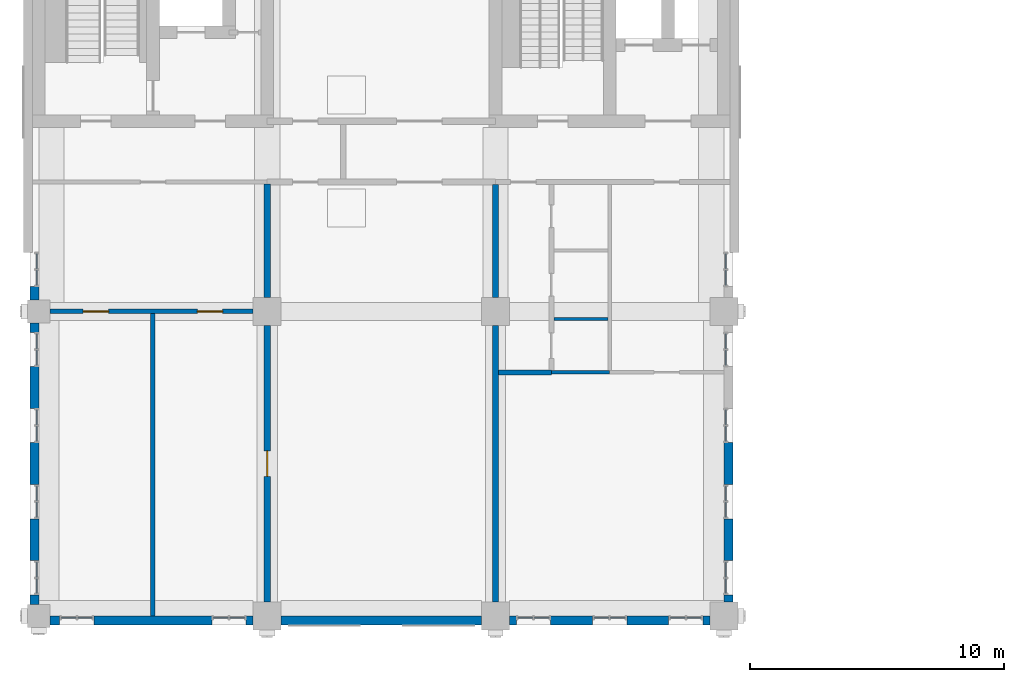
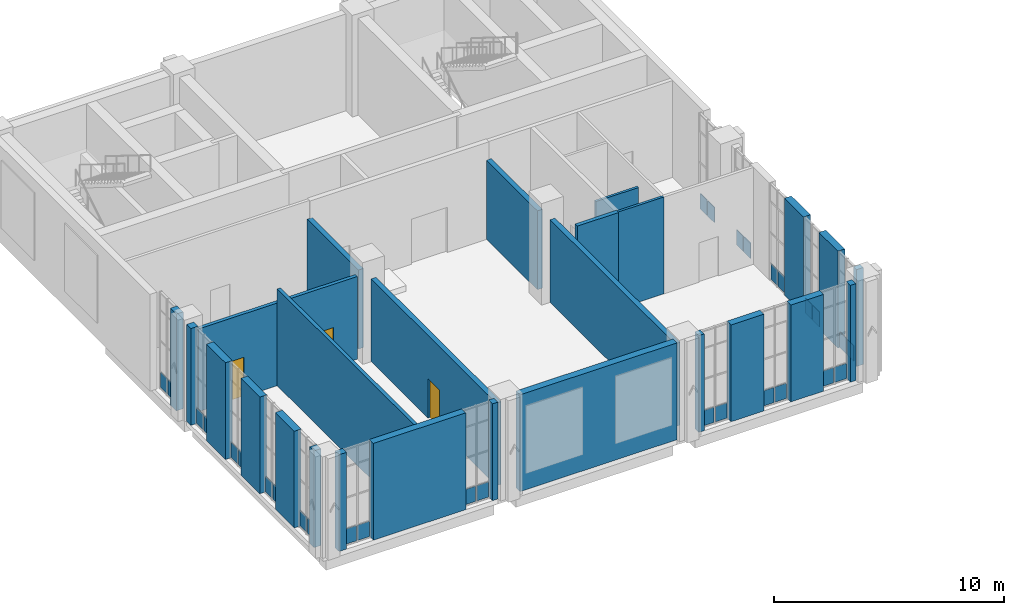
# One storey, part 13 of 25: 30 plates, 26 walls, 3 doors, 3 openings, 15 elements without a shape of their own.
"""IFC4 building model written with IfcOpenShell, lengths in metres."""

from ifc_helpers import new_model, si_unit, direction, frame, frame_2d, origin, origin_2d, place, context, subcontext, project, spatial, rectangle, extrude, material, layer, layer_set, type_object, element, fill, aggregate, save


model = new_model("IFC4")

# Units and contexts
model_context = context("Model", 3, precision=1e-05, world=origin(), true_north=direction((0.0, 1.0)))
body_context = subcontext(model_context, "Body", "Model", "MODEL_VIEW")
ifc_project = project(units=[si_unit("LENGTHUNIT", "METRE"), si_unit("AREAUNIT", "SQUARE_METRE"), si_unit("VOLUMEUNIT", "CUBIC_METRE"), si_unit("PLANEANGLEUNIT", "RADIAN"), si_unit("MASSUNIT", "GRAM", prefix="KILO")], contexts=[model_context])

# Site, building, storey
site_placement = place(None, origin())
site = spatial("IfcSite", under=ifc_project, at=site_placement, CompositionType="ELEMENT")
building_placement = place(site_placement, origin())
building = spatial("IfcBuilding", under=site, at=building_placement, Name="Aurelan Courthouse", CompositionType="ELEMENT")
storey_placement = place(building_placement, frame((0.0, 0.0, 33.60009765625)))
storey = spatial("IfcBuildingStorey", under=building, at=storey_placement, Name="L06", CompositionType="ELEMENT", Elevation=33.60009765625)

# Curtain wall, plates
ifc_material_1 = material(Name="Bronze-finished aluminium and glass", Category="aluminium")
ifc_layer_1 = layer(ifc_material_1, 0.14990234375)
ifc_layer_set_1 = layer_set([ifc_layer_1], Name="Bronze-finished aluminium and glass")
curtain_wall_type = type_object("IfcCurtainWallType", Name="Curtain wall 1350 x 5150", PredefinedType="NOTDEFINED", material=ifc_layer_set_1)
curtain_wall_1_placement = place(storey_placement, origin())
curtain_wall_1 = element("IfcCurtainWall", 1, at=curtain_wall_1_placement, inside=storey, type_object=curtain_wall_type, Name="Curtain wall CW-V5-L06-S01", PredefinedType="NOTDEFINED")
ifc_material_2 = material(Name="Bronze-finished aluminium", Category="aluminium")
ifc_layer_2 = layer(ifc_material_2, 0.0400390625)
ifc_layer_set_2 = layer_set([ifc_layer_2], Name="Bronze-finished aluminium")
plate_type = type_object("IfcPlateType", Name="Sill panel 40", PredefinedType="CURTAIN_PANEL", material=ifc_layer_set_2)
plate_1_placement = place(storey_placement, frame((1.177490234375, -0.074951171875, 0.059814453125), z_axis=(0.0, 0.0, 1.0), x_axis=(1.0, 0.0, 0.0)))
plate_1 = element("IfcPlate", 2, at=plate_1_placement, type_object=plate_type, Name="CW-V5-L06-S01 sill panel 1.1", PredefinedType="CURTAIN_PANEL", context=body_context, shape_type="SweptSolid", body=[
    extrude(rectangle(XDim=0.5849609375, YDim=0.0400390625, at=origin_2d()), origin(), (0.0, 0.0, 1.0), 0.81005859375),
])
plate_2_placement = place(storey_placement, frame((1.822509765625, -0.074951171875, 0.059814453125), z_axis=(0.0, 0.0, 1.0), x_axis=(1.0, 0.0, 0.0)))
plate_2 = element("IfcPlate", 3, at=plate_2_placement, type_object=plate_type, Name="CW-V5-L06-S01 sill panel 2.1", PredefinedType="CURTAIN_PANEL", context=body_context, shape_type="SweptSolid", body=[
    extrude(rectangle(XDim=0.5849609375, YDim=0.0400390625, at=origin_2d()), origin(), (0.0, 0.0, 1.0), 0.81005859375),
])
aggregate(curtain_wall_1, [plate_1, plate_2])

curtain_wall_2_placement = place(storey_placement, origin())
curtain_wall_2 = element("IfcCurtainWall", 4, at=curtain_wall_2_placement, inside=storey, type_object=curtain_wall_type, Name="Curtain wall CW-V5-L06-S02", PredefinedType="NOTDEFINED")
plate_3_placement = place(storey_placement, frame((7.177490234375, -0.074951171875, 0.059814453125), z_axis=(0.0, 0.0, 1.0), x_axis=(1.0, 0.0, 0.0)))
plate_3 = element("IfcPlate", 5, at=plate_3_placement, type_object=plate_type, Name="CW-V5-L06-S02 sill panel 1.1", PredefinedType="CURTAIN_PANEL", context=body_context, shape_type="SweptSolid", body=[
    extrude(rectangle(XDim=0.5849609375, YDim=0.0400390625, at=origin_2d()), origin(), (0.0, 0.0, 1.0), 0.81005859375),
])
plate_4_placement = place(storey_placement, frame((7.822509765625, -0.074951171875, 0.059814453125), z_axis=(0.0, 0.0, 1.0), x_axis=(1.0, 0.0, 0.0)))
plate_4 = element("IfcPlate", 6, at=plate_4_placement, type_object=plate_type, Name="CW-V5-L06-S02 sill panel 2.1", PredefinedType="CURTAIN_PANEL", context=body_context, shape_type="SweptSolid", body=[
    extrude(rectangle(XDim=0.5849609375, YDim=0.0400390625, at=origin_2d()), origin(), (0.0, 0.0, 1.0), 0.81005859375),
])
aggregate(curtain_wall_2, [plate_3, plate_4])

curtain_wall_3_placement = place(storey_placement, origin())
curtain_wall_3 = element("IfcCurtainWall", 7, at=curtain_wall_3_placement, inside=storey, type_object=curtain_wall_type, Name="Curtain wall CW-V5-L06-S03", PredefinedType="NOTDEFINED")
plate_5_placement = place(storey_placement, frame((19.177490234375, -0.074951171875, 0.059814453125), z_axis=(0.0, 0.0, 1.0), x_axis=(1.0, 0.0, 0.0)))
plate_5 = element("IfcPlate", 8, at=plate_5_placement, type_object=plate_type, Name="CW-V5-L06-S03 sill panel 1.1", PredefinedType="CURTAIN_PANEL", context=body_context, shape_type="SweptSolid", body=[
    extrude(rectangle(XDim=0.5849609375, YDim=0.0400390625, at=origin_2d()), origin(), (0.0, 0.0, 1.0), 0.81005859375),
])
plate_6_placement = place(storey_placement, frame((19.822509765625, -0.074951171875, 0.059814453125), z_axis=(0.0, 0.0, 1.0), x_axis=(1.0, 0.0, 0.0)))
plate_6 = element("IfcPlate", 9, at=plate_6_placement, type_object=plate_type, Name="CW-V5-L06-S03 sill panel 2.1", PredefinedType="CURTAIN_PANEL", context=body_context, shape_type="SweptSolid", body=[
    extrude(rectangle(XDim=0.5849609375, YDim=0.0400390625, at=origin_2d()), origin(), (0.0, 0.0, 1.0), 0.81005859375),
])
aggregate(curtain_wall_3, [plate_5, plate_6])

curtain_wall_4_placement = place(storey_placement, origin())
curtain_wall_4 = element("IfcCurtainWall", 10, at=curtain_wall_4_placement, inside=storey, type_object=curtain_wall_type, Name="Curtain wall CW-V5-L06-S04", PredefinedType="NOTDEFINED")
plate_7_placement = place(storey_placement, frame((22.177490234375, -0.074951171875, 0.059814453125), z_axis=(0.0, 0.0, 1.0), x_axis=(1.0, 0.0, 0.0)))
plate_7 = element("IfcPlate", 11, at=plate_7_placement, type_object=plate_type, Name="CW-V5-L06-S04 sill panel 1.1", PredefinedType="CURTAIN_PANEL", context=body_context, shape_type="SweptSolid", body=[
    extrude(rectangle(XDim=0.5849609375, YDim=0.0400390625, at=origin_2d()), origin(), (0.0, 0.0, 1.0), 0.81005859375),
])
plate_8_placement = place(storey_placement, frame((22.822509765625, -0.074951171875, 0.059814453125), z_axis=(0.0, 0.0, 1.0), x_axis=(1.0, 0.0, 0.0)))
plate_8 = element("IfcPlate", 12, at=plate_8_placement, type_object=plate_type, Name="CW-V5-L06-S04 sill panel 2.1", PredefinedType="CURTAIN_PANEL", context=body_context, shape_type="SweptSolid", body=[
    extrude(rectangle(XDim=0.5849609375, YDim=0.0400390625, at=origin_2d()), origin(), (0.0, 0.0, 1.0), 0.81005859375),
])
aggregate(curtain_wall_4, [plate_7, plate_8])

curtain_wall_5_placement = place(storey_placement, origin())
curtain_wall_5 = element("IfcCurtainWall", 13, at=curtain_wall_5_placement, inside=storey, type_object=curtain_wall_type, Name="Curtain wall CW-V5-L06-S05", PredefinedType="NOTDEFINED")
plate_9_placement = place(storey_placement, frame((25.177490234375, -0.074951171875, 0.059814453125), z_axis=(0.0, 0.0, 1.0), x_axis=(1.0, 0.0, 0.0)))
plate_9 = element("IfcPlate", 14, at=plate_9_placement, type_object=plate_type, Name="CW-V5-L06-S05 sill panel 1.1", PredefinedType="CURTAIN_PANEL", context=body_context, shape_type="SweptSolid", body=[
    extrude(rectangle(XDim=0.5849609375, YDim=0.0400390625, at=origin_2d()), origin(), (0.0, 0.0, 1.0), 0.81005859375),
])
plate_10_placement = place(storey_placement, frame((25.822509765625, -0.074951171875, 0.059814453125), z_axis=(0.0, 0.0, 1.0), x_axis=(1.0, 0.0, 0.0)))
plate_10 = element("IfcPlate", 15, at=plate_10_placement, type_object=plate_type, Name="CW-V5-L06-S05 sill panel 2.1", PredefinedType="CURTAIN_PANEL", context=body_context, shape_type="SweptSolid", body=[
    extrude(rectangle(XDim=0.5849609375, YDim=0.0400390625, at=origin_2d()), origin(), (0.0, 0.0, 1.0), 0.81005859375),
])
aggregate(curtain_wall_5, [plate_9, plate_10])

curtain_wall_6_placement = place(storey_placement, origin())
curtain_wall_6 = element("IfcCurtainWall", 16, at=curtain_wall_6_placement, inside=storey, type_object=curtain_wall_type, Name="Curtain wall CW-V5-L06-E01", PredefinedType="NOTDEFINED")
plate_11_placement = place(storey_placement, frame((27.074951171875, 1.177490234375, 0.059814453125), z_axis=(0.0, 0.0, 1.0), x_axis=(0.0, 1.0, 0.0)))
plate_11 = element("IfcPlate", 17, at=plate_11_placement, type_object=plate_type, Name="CW-V5-L06-E01 sill panel 1.1", PredefinedType="CURTAIN_PANEL", context=body_context, shape_type="SweptSolid", body=[
    extrude(rectangle(XDim=0.5849609375, YDim=0.0400390625, at=origin_2d()), origin(), (0.0, 0.0, 1.0), 0.81005859375),
])
plate_12_placement = place(storey_placement, frame((27.074951171875, 1.822509765625, 0.059814453125), z_axis=(0.0, 0.0, 1.0), x_axis=(0.0, 1.0, 0.0)))
plate_12 = element("IfcPlate", 18, at=plate_12_placement, type_object=plate_type, Name="CW-V5-L06-E01 sill panel 2.1", PredefinedType="CURTAIN_PANEL", context=body_context, shape_type="SweptSolid", body=[
    extrude(rectangle(XDim=0.5849609375, YDim=0.0400390625, at=origin_2d()), origin(), (0.0, 0.0, 1.0), 0.81005859375),
])
aggregate(curtain_wall_6, [plate_11, plate_12])

curtain_wall_7_placement = place(storey_placement, origin())
curtain_wall_7 = element("IfcCurtainWall", 19, at=curtain_wall_7_placement, inside=storey, type_object=curtain_wall_type, Name="Curtain wall CW-V5-L06-E02", PredefinedType="NOTDEFINED")
plate_13_placement = place(storey_placement, frame((27.074951171875, 4.177490234375, 0.059814453125), z_axis=(0.0, 0.0, 1.0), x_axis=(0.0, 1.0, 0.0)))
plate_13 = element("IfcPlate", 20, at=plate_13_placement, type_object=plate_type, Name="CW-V5-L06-E02 sill panel 1.1", PredefinedType="CURTAIN_PANEL", context=body_context, shape_type="SweptSolid", body=[
    extrude(rectangle(XDim=0.5849609375, YDim=0.0400390625, at=origin_2d()), origin(), (0.0, 0.0, 1.0), 0.81005859375),
])
plate_14_placement = place(storey_placement, frame((27.074951171875, 4.822509765625, 0.059814453125), z_axis=(0.0, 0.0, 1.0), x_axis=(0.0, 1.0, 0.0)))
plate_14 = element("IfcPlate", 21, at=plate_14_placement, type_object=plate_type, Name="CW-V5-L06-E02 sill panel 2.1", PredefinedType="CURTAIN_PANEL", context=body_context, shape_type="SweptSolid", body=[
    extrude(rectangle(XDim=0.5849609375, YDim=0.0400390625, at=origin_2d()), origin(), (0.0, 0.0, 1.0), 0.81005859375),
])
aggregate(curtain_wall_7, [plate_13, plate_14])

curtain_wall_8_placement = place(storey_placement, origin())
curtain_wall_8 = element("IfcCurtainWall", 22, at=curtain_wall_8_placement, inside=storey, type_object=curtain_wall_type, Name="Curtain wall CW-V5-L06-E03", PredefinedType="NOTDEFINED")
plate_15_placement = place(storey_placement, frame((27.074951171875, 7.177490234375, 0.059814453125), z_axis=(0.0, 0.0, 1.0), x_axis=(0.0, 1.0, 0.0)))
plate_15 = element("IfcPlate", 23, at=plate_15_placement, type_object=plate_type, Name="CW-V5-L06-E03 sill panel 1.1", PredefinedType="CURTAIN_PANEL", context=body_context, shape_type="SweptSolid", body=[
    extrude(rectangle(XDim=0.5849609375, YDim=0.0400390625, at=origin_2d()), origin(), (0.0, 0.0, 1.0), 0.81005859375),
])
plate_16_placement = place(storey_placement, frame((27.074951171875, 7.822509765625, 0.059814453125), z_axis=(0.0, 0.0, 1.0), x_axis=(0.0, 1.0, 0.0)))
plate_16 = element("IfcPlate", 24, at=plate_16_placement, type_object=plate_type, Name="CW-V5-L06-E03 sill panel 2.1", PredefinedType="CURTAIN_PANEL", context=body_context, shape_type="SweptSolid", body=[
    extrude(rectangle(XDim=0.5849609375, YDim=0.0400390625, at=origin_2d()), origin(), (0.0, 0.0, 1.0), 0.81005859375),
])
aggregate(curtain_wall_8, [plate_15, plate_16])

curtain_wall_9_placement = place(storey_placement, origin())
curtain_wall_9 = element("IfcCurtainWall", 25, at=curtain_wall_9_placement, inside=storey, type_object=curtain_wall_type, Name="Curtain wall CW-V5-L06-E04", PredefinedType="NOTDEFINED")
plate_17_placement = place(storey_placement, frame((27.074951171875, 10.177490234375, 0.059814453125), z_axis=(0.0, 0.0, 1.0), x_axis=(0.0, 1.0, 0.0)))
plate_17 = element("IfcPlate", 26, at=plate_17_placement, type_object=plate_type, Name="CW-V5-L06-E04 sill panel 1.1", PredefinedType="CURTAIN_PANEL", context=body_context, shape_type="SweptSolid", body=[
    extrude(rectangle(XDim=0.5849609375, YDim=0.0400390625, at=origin_2d()), origin(), (0.0, 0.0, 1.0), 0.81005859375),
])
plate_18_placement = place(storey_placement, frame((27.074951171875, 10.822509765625, 0.059814453125), z_axis=(0.0, 0.0, 1.0), x_axis=(0.0, 1.0, 0.0)))
plate_18 = element("IfcPlate", 27, at=plate_18_placement, type_object=plate_type, Name="CW-V5-L06-E04 sill panel 2.1", PredefinedType="CURTAIN_PANEL", context=body_context, shape_type="SweptSolid", body=[
    extrude(rectangle(XDim=0.5849609375, YDim=0.0400390625, at=origin_2d()), origin(), (0.0, 0.0, 1.0), 0.81005859375),
])
aggregate(curtain_wall_9, [plate_17, plate_18])

curtain_wall_10_placement = place(storey_placement, origin())
curtain_wall_10 = element("IfcCurtainWall", 28, at=curtain_wall_10_placement, inside=storey, type_object=curtain_wall_type, Name="Curtain wall CW-V5-L06-E05", PredefinedType="NOTDEFINED")
plate_19_placement = place(storey_placement, frame((27.074951171875, 13.327392578125, 0.059814453125), z_axis=(0.0, 0.0, 1.0), x_axis=(0.0, 1.0, 0.0)))
plate_19 = element("IfcPlate", 29, at=plate_19_placement, type_object=plate_type, Name="CW-V5-L06-E05 sill panel 1.1", PredefinedType="CURTAIN_PANEL", context=body_context, shape_type="SweptSolid", body=[
    extrude(rectangle(XDim=0.5849609375, YDim=0.0400390625, at=origin_2d()), origin(), (0.0, 0.0, 1.0), 0.81005859375),
])
plate_20_placement = place(storey_placement, frame((27.074951171875, 13.972412109375, 0.059814453125), z_axis=(0.0, 0.0, 1.0), x_axis=(0.0, 1.0, 0.0)))
plate_20 = element("IfcPlate", 30, at=plate_20_placement, type_object=plate_type, Name="CW-V5-L06-E05 sill panel 2.1", PredefinedType="CURTAIN_PANEL", context=body_context, shape_type="SweptSolid", body=[
    extrude(rectangle(XDim=0.5849609375, YDim=0.0400390625, at=origin_2d()), origin(), (0.0, 0.0, 1.0), 0.81005859375),
])
aggregate(curtain_wall_10, [plate_19, plate_20])

curtain_wall_11_placement = place(storey_placement, origin())
curtain_wall_11 = element("IfcCurtainWall", 31, at=curtain_wall_11_placement, inside=storey, type_object=curtain_wall_type, Name="Curtain wall CW-V5-L06-W01", PredefinedType="NOTDEFINED")
plate_21_placement = place(storey_placement, frame((-0.074951171875, 1.177490234375, 0.059814453125), z_axis=(0.0, 0.0, 1.0), x_axis=(0.0, 1.0, 0.0)))
plate_21 = element("IfcPlate", 32, at=plate_21_placement, type_object=plate_type, Name="CW-V5-L06-W01 sill panel 1.1", PredefinedType="CURTAIN_PANEL", context=body_context, shape_type="SweptSolid", body=[
    extrude(rectangle(XDim=0.5849609375, YDim=0.0400390625, at=origin_2d()), origin(), (0.0, 0.0, 1.0), 0.81005859375),
])
plate_22_placement = place(storey_placement, frame((-0.074951171875, 1.822509765625, 0.059814453125), z_axis=(0.0, 0.0, 1.0), x_axis=(0.0, 1.0, 0.0)))
plate_22 = element("IfcPlate", 33, at=plate_22_placement, type_object=plate_type, Name="CW-V5-L06-W01 sill panel 2.1", PredefinedType="CURTAIN_PANEL", context=body_context, shape_type="SweptSolid", body=[
    extrude(rectangle(XDim=0.5849609375, YDim=0.0400390625, at=origin_2d()), origin(), (0.0, 0.0, 1.0), 0.81005859375),
])
aggregate(curtain_wall_11, [plate_21, plate_22])

curtain_wall_12_placement = place(storey_placement, origin())
curtain_wall_12 = element("IfcCurtainWall", 34, at=curtain_wall_12_placement, inside=storey, type_object=curtain_wall_type, Name="Curtain wall CW-V5-L06-W02", PredefinedType="NOTDEFINED")
plate_23_placement = place(storey_placement, frame((-0.074951171875, 4.177490234375, 0.059814453125), z_axis=(0.0, 0.0, 1.0), x_axis=(0.0, 1.0, 0.0)))
plate_23 = element("IfcPlate", 35, at=plate_23_placement, type_object=plate_type, Name="CW-V5-L06-W02 sill panel 1.1", PredefinedType="CURTAIN_PANEL", context=body_context, shape_type="SweptSolid", body=[
    extrude(rectangle(XDim=0.5849609375, YDim=0.0400390625, at=origin_2d()), origin(), (0.0, 0.0, 1.0), 0.81005859375),
])
plate_24_placement = place(storey_placement, frame((-0.074951171875, 4.822509765625, 0.059814453125), z_axis=(0.0, 0.0, 1.0), x_axis=(0.0, 1.0, 0.0)))
plate_24 = element("IfcPlate", 36, at=plate_24_placement, type_object=plate_type, Name="CW-V5-L06-W02 sill panel 2.1", PredefinedType="CURTAIN_PANEL", context=body_context, shape_type="SweptSolid", body=[
    extrude(rectangle(XDim=0.5849609375, YDim=0.0400390625, at=origin_2d()), origin(), (0.0, 0.0, 1.0), 0.81005859375),
])
aggregate(curtain_wall_12, [plate_23, plate_24])

curtain_wall_13_placement = place(storey_placement, origin())
curtain_wall_13 = element("IfcCurtainWall", 37, at=curtain_wall_13_placement, inside=storey, type_object=curtain_wall_type, Name="Curtain wall CW-V5-L06-W03", PredefinedType="NOTDEFINED")
plate_25_placement = place(storey_placement, frame((-0.074951171875, 7.177490234375, 0.059814453125), z_axis=(0.0, 0.0, 1.0), x_axis=(0.0, 1.0, 0.0)))
plate_25 = element("IfcPlate", 38, at=plate_25_placement, type_object=plate_type, Name="CW-V5-L06-W03 sill panel 1.1", PredefinedType="CURTAIN_PANEL", context=body_context, shape_type="SweptSolid", body=[
    extrude(rectangle(XDim=0.5849609375, YDim=0.0400390625, at=origin_2d()), origin(), (0.0, 0.0, 1.0), 0.81005859375),
])
plate_26_placement = place(storey_placement, frame((-0.074951171875, 7.822509765625, 0.059814453125), z_axis=(0.0, 0.0, 1.0), x_axis=(0.0, 1.0, 0.0)))
plate_26 = element("IfcPlate", 39, at=plate_26_placement, type_object=plate_type, Name="CW-V5-L06-W03 sill panel 2.1", PredefinedType="CURTAIN_PANEL", context=body_context, shape_type="SweptSolid", body=[
    extrude(rectangle(XDim=0.5849609375, YDim=0.0400390625, at=origin_2d()), origin(), (0.0, 0.0, 1.0), 0.81005859375),
])
aggregate(curtain_wall_13, [plate_25, plate_26])

curtain_wall_14_placement = place(storey_placement, origin())
curtain_wall_14 = element("IfcCurtainWall", 40, at=curtain_wall_14_placement, inside=storey, type_object=curtain_wall_type, Name="Curtain wall CW-V5-L06-W04", PredefinedType="NOTDEFINED")
plate_27_placement = place(storey_placement, frame((-0.074951171875, 10.177490234375, 0.059814453125), z_axis=(0.0, 0.0, 1.0), x_axis=(0.0, 1.0, 0.0)))
plate_27 = element("IfcPlate", 41, at=plate_27_placement, type_object=plate_type, Name="CW-V5-L06-W04 sill panel 1.1", PredefinedType="CURTAIN_PANEL", context=body_context, shape_type="SweptSolid", body=[
    extrude(rectangle(XDim=0.5849609375, YDim=0.0400390625, at=origin_2d()), origin(), (0.0, 0.0, 1.0), 0.81005859375),
])
plate_28_placement = place(storey_placement, frame((-0.074951171875, 10.822509765625, 0.059814453125), z_axis=(0.0, 0.0, 1.0), x_axis=(0.0, 1.0, 0.0)))
plate_28 = element("IfcPlate", 42, at=plate_28_placement, type_object=plate_type, Name="CW-V5-L06-W04 sill panel 2.1", PredefinedType="CURTAIN_PANEL", context=body_context, shape_type="SweptSolid", body=[
    extrude(rectangle(XDim=0.5849609375, YDim=0.0400390625, at=origin_2d()), origin(), (0.0, 0.0, 1.0), 0.81005859375),
])
aggregate(curtain_wall_14, [plate_27, plate_28])

curtain_wall_15_placement = place(storey_placement, origin())
curtain_wall_15 = element("IfcCurtainWall", 43, at=curtain_wall_15_placement, inside=storey, type_object=curtain_wall_type, Name="Curtain wall CW-V5-L06-W05", PredefinedType="NOTDEFINED")
plate_29_placement = place(storey_placement, frame((-0.074951171875, 13.327392578125, 0.059814453125), z_axis=(0.0, 0.0, 1.0), x_axis=(0.0, 1.0, 0.0)))
plate_29 = element("IfcPlate", 44, at=plate_29_placement, type_object=plate_type, Name="CW-V5-L06-W05 sill panel 1.1", PredefinedType="CURTAIN_PANEL", context=body_context, shape_type="SweptSolid", body=[
    extrude(rectangle(XDim=0.5849609375, YDim=0.0400390625, at=origin_2d()), origin(), (0.0, 0.0, 1.0), 0.81005859375),
])
plate_30_placement = place(storey_placement, frame((-0.074951171875, 13.972412109375, 0.059814453125), z_axis=(0.0, 0.0, 1.0), x_axis=(0.0, 1.0, 0.0)))
plate_30 = element("IfcPlate", 45, at=plate_30_placement, type_object=plate_type, Name="CW-V5-L06-W05 sill panel 2.1", PredefinedType="CURTAIN_PANEL", context=body_context, shape_type="SweptSolid", body=[
    extrude(rectangle(XDim=0.5849609375, YDim=0.0400390625, at=origin_2d()), origin(), (0.0, 0.0, 1.0), 0.81005859375),
])
aggregate(curtain_wall_15, [plate_29, plate_30])

# Wall, openings, doors
ifc_material_3 = material(Name="Gypsum board on metal studs")
ifc_layer_3 = layer(ifc_material_3, 0.175048828125)
ifc_layer_set_3 = layer_set([ifc_layer_3], Name="Gypsum board on metal studs")
wall_type_1 = type_object("IfcWallType", Name="Chambers acoustic partition 175 NOT RATED", PredefinedType="PARTITIONING", material=ifc_layer_set_3)
wall_1_placement = place(storey_placement, frame((0.449951171875, 12.0, 0.0), z_axis=(0.0, 0.0, 1.0), x_axis=(1.0, 0.0, 0.0)))
wall_1 = element("IfcWall", 46, at=wall_1_placement, inside=storey, type_object=wall_type_1, Name="Chambers acoustic partition L06-005", PredefinedType="PARTITIONING", context=body_context, shape_type="SweptSolid", body=[
    extrude(rectangle(XDim=8.0, YDim=0.175048828125, at=frame_2d((4.0, 0.0))), origin(), (0.0, 0.0, 1.0), 4.39990234375),
])
opening_1_placement = place(wall_1_placement, frame((1.300048828125, 0.0, 0.0)))
opening_1 = element("IfcOpeningElement", 47, at=opening_1_placement, cuts=wall_1, Name="Opening D-L06-049", PredefinedType="OPENING", context=body_context, shape_type="SweptSolid", body=[
    extrude(rectangle(XDim=1.0, YDim=2.10009765625, at=frame_2d((0.5, 1.050048828125))), frame((0.0, 0.097412109375, 0.0), z_axis=(0.0, -1.0, 0.0), x_axis=(1.0, 0.0, 0.0)), (0.0, 0.0, 1.0), 0.195068359375),
])
opening_2_placement = place(wall_1_placement, frame((5.800048828125, 0.0, 0.0)))
opening_2 = element("IfcOpeningElement", 48, at=opening_2_placement, cuts=wall_1, Name="Opening D-L06-050", PredefinedType="OPENING", context=body_context, shape_type="SweptSolid", body=[
    extrude(rectangle(XDim=1.0, YDim=2.10009765625, at=frame_2d((0.5, 1.050048828125))), frame((0.0, 0.097412109375, 0.0), z_axis=(0.0, -1.0, 0.0), x_axis=(1.0, 0.0, 0.0)), (0.0, 0.0, 1.0), 0.195068359375),
])
ifc_material_4 = material(Name="Timber", Category="wood")
door_type_1 = type_object("IfcDoorType", Name="Single door 1000 x 2100 NOT RATED", OperationType="SINGLE_SWING_LEFT", PredefinedType="DOOR", material=ifc_material_4)
door_1_placement = place(opening_1_placement, origin())
door_1 = element("IfcDoor", 49, at=door_1_placement, inside=storey, type_object=door_type_1, Name="Single door D-L06-049", OperationType="SINGLE_SWING_LEFT", OverallHeight=2.10009765625, OverallWidth=1.0, PredefinedType="DOOR", context=body_context, shape_type="SweptSolid", body=[
    extrude(rectangle(XDim=1.0, YDim=2.10009765625, at=frame_2d((0.5, 1.050048828125))), frame((0.0, 0.02490234375, 0.0), z_axis=(0.0, -1.0, 0.0), x_axis=(1.0, 0.0, 0.0)), (0.0, 0.0, 1.0), 0.050048828125),
])
fill(opening_1, door_1)
door_2_placement = place(opening_2_placement, origin())
door_2 = element("IfcDoor", 50, at=door_2_placement, inside=storey, type_object=door_type_1, Name="Single door D-L06-050", OperationType="SINGLE_SWING_RIGHT", OverallHeight=2.10009765625, OverallWidth=1.0, PredefinedType="DOOR", context=body_context, shape_type="SweptSolid", body=[
    extrude(rectangle(XDim=1.0, YDim=2.10009765625, at=frame_2d((0.5, 1.050048828125))), frame((0.0, 0.02490234375, 0.0), z_axis=(0.0, -1.0, 0.0), x_axis=(1.0, 0.0, 0.0)), (0.0, 0.0, 1.0), 0.050048828125),
])
fill(opening_2, door_2)

# Wall
wall_2_placement = place(storey_placement, frame((4.5, 0.0, 0.0), z_axis=(0.0, 0.0, 1.0), x_axis=(0.0, 1.0, 0.0)))
element("IfcWall", 51, at=wall_2_placement, inside=storey, type_object=wall_type_1, Name="Chambers acoustic partition L06-031", PredefinedType="PARTITIONING", context=body_context, shape_type="SweptSolid", body=[
    extrude(rectangle(XDim=11.91259765625, YDim=0.175048828125, at=frame_2d((5.956298828125, 0.0))), origin(), (0.0, 0.0, 1.0), 5.14990234375),
])

# Wall, opening, door
ifc_material_5 = material(Name="Masonry block", Category="masonry")
ifc_layer_4 = layer(ifc_material_5, 0.25)
ifc_layer_set_4 = layer_set([ifc_layer_4], Name="Masonry block")
wall_type_2 = type_object("IfcWallType", Name="Courtroom wall 250 EI 60", PredefinedType="PARTITIONING", material=ifc_layer_set_4)
wall_3_placement = place(storey_placement, frame((9.0, 0.550048828125, 0.0), z_axis=(0.0, 0.0, 1.0), x_axis=(0.0, 1.0, 0.0)))
wall_3 = element("IfcWall", 52, at=wall_3_placement, inside=storey, type_object=wall_type_2, Name="Courtroom wall L06-032", PredefinedType="PARTITIONING", context=body_context, shape_type="SweptSolid", body=[
    extrude(rectangle(XDim=10.89990234375, YDim=0.25, at=frame_2d((5.449951171875, 0.0))), origin(), (0.0, 0.0, 1.0), 4.39990234375),
])
opening_3_placement = place(wall_3_placement, frame((5.949951171875, 0.0, 0.0), z_axis=(0.0, 0.0, 1.0), x_axis=(-1.0, 0.0, 0.0)))
opening_3 = element("IfcOpeningElement", 53, at=opening_3_placement, cuts=wall_3, Name="Opening D-L06-051", PredefinedType="OPENING", context=body_context, shape_type="SweptSolid", body=[
    extrude(rectangle(XDim=1.0, YDim=2.10009765625, at=frame_2d((0.5, 1.050048828125))), frame((0.0, 0.135009765625, 0.0), z_axis=(0.0, -1.0, 0.0), x_axis=(1.0, 0.0, 0.0)), (0.0, 0.0, 1.0), 0.27001953125),
])
ifc_material_6 = material(Name="Steel", Category="steel")
door_type_2 = type_object("IfcDoorType", Name="Single door 1000 x 2100 FD30", OperationType="SINGLE_SWING_LEFT", PredefinedType="DOOR", material=ifc_material_6)
door_3_placement = place(opening_3_placement, origin())
door_3 = element("IfcDoor", 54, at=door_3_placement, inside=storey, type_object=door_type_2, Name="Single door D-L06-051", OperationType="SINGLE_SWING_RIGHT", OverallHeight=2.10009765625, OverallWidth=1.0, PredefinedType="DOOR", context=body_context, shape_type="SweptSolid", body=[
    extrude(rectangle(XDim=1.0, YDim=2.10009765625, at=frame_2d((0.5, 1.050048828125))), frame((0.0, 0.02490234375, 0.0), z_axis=(0.0, -1.0, 0.0), x_axis=(1.0, 0.0, 0.0)), (0.0, 0.0, 1.0), 0.050048828125),
])
fill(opening_3, door_3)

# Walls
wall_4_placement = place(storey_placement, frame((9.0, 12.550048828125, 0.0), z_axis=(0.0, 0.0, 1.0), x_axis=(0.0, 1.0, 0.0)))
element("IfcWall", 55, at=wall_4_placement, inside=storey, type_object=wall_type_2, Name="Courtroom wall L06-033", PredefinedType="PARTITIONING", context=body_context, shape_type="SweptSolid", body=[
    extrude(rectangle(XDim=4.474853515625, YDim=0.25, at=frame_2d((2.2373046875, 0.0))), origin(), (0.0, 0.0, 1.0), 4.199951171875),
])
wall_5_placement = place(storey_placement, frame((18.0, 0.550048828125, 0.0), z_axis=(0.0, 0.0, 1.0), x_axis=(0.0, 1.0, 0.0)))
element("IfcWall", 56, at=wall_5_placement, inside=storey, type_object=wall_type_2, Name="Courtroom wall L06-035", PredefinedType="PARTITIONING", context=body_context, shape_type="SweptSolid", body=[
    extrude(rectangle(XDim=10.89990234375, YDim=0.25, at=frame_2d((5.449951171875, 0.0))), origin(), (0.0, 0.0, 1.0), 4.39990234375),
])
wall_6_placement = place(storey_placement, frame((18.0, 12.550048828125, 0.0), z_axis=(0.0, 0.0, 1.0), x_axis=(0.0, 1.0, 0.0)))
element("IfcWall", 57, at=wall_6_placement, inside=storey, type_object=wall_type_2, Name="Courtroom wall L06-036", PredefinedType="PARTITIONING", context=body_context, shape_type="SweptSolid", body=[
    extrude(rectangle(XDim=4.449951171875, YDim=0.25, at=frame_2d((2.22509765625, 0.0))), origin(), (0.0, 0.0, 1.0), 4.199951171875),
])
ifc_material_7 = material(Name="Limestone cladding", Category="masonry")
ifc_layer_5 = layer(ifc_material_7, 0.10009765625, Name="Facing")
ifc_material_8 = material(Name="Ventilated cavity")
ifc_layer_6 = layer(ifc_material_8, 0.02490234375, ventilated=True, Name="Ventilated cavity")
ifc_material_9 = material(Name="Mineral wool insulation")
ifc_layer_7 = layer(ifc_material_9, 0.050048828125, Name="Insulation")
ifc_material_10 = material(Name="Concrete C30", Category="concrete")
ifc_layer_8 = layer(ifc_material_10, 0.175048828125, Name="Structure")
ifc_layer_set_5 = layer_set([ifc_layer_5, ifc_layer_6, ifc_layer_7, ifc_layer_8], Name="Concrete C30")
wall_type_3 = type_object("IfcWallType", Name="Courts' Floors stone-faced wall 350", PredefinedType="SOLIDWALL", material=ifc_layer_set_5)
wall_7_placement = place(storey_placement, frame((0.449951171875, -0.175048828125, 0.0), z_axis=(0.0, 0.0, 1.0), x_axis=(1.0, 0.0, 0.0)))
element("IfcWall", 58, at=wall_7_placement, inside=storey, type_object=wall_type_3, Name="Facade wall FW-V5-L06-001", PredefinedType="SOLIDWALL", context=body_context, shape_type="SweptSolid", body=[
    extrude(rectangle(XDim=0.375, YDim=0.35009765625, at=frame_2d((0.1875, 0.0))), origin(), (0.0, 0.0, 1.0), 5.14990234375),
])
wall_8_placement = place(storey_placement, frame((2.175048828125, -0.175048828125, 0.0), z_axis=(0.0, 0.0, 1.0), x_axis=(1.0, 0.0, 0.0)))
element("IfcWall", 59, at=wall_8_placement, inside=storey, type_object=wall_type_3, Name="Facade wall FW-V5-L06-002", PredefinedType="SOLIDWALL", context=body_context, shape_type="SweptSolid", body=[
    extrude(rectangle(XDim=4.64990234375, YDim=0.35009765625, at=frame_2d((2.324951171875, 0.0))), origin(), (0.0, 0.0, 1.0), 5.14990234375),
])
wall_9_placement = place(storey_placement, frame((8.175048828125, -0.175048828125, 0.0), z_axis=(0.0, 0.0, 1.0), x_axis=(1.0, 0.0, 0.0)))
element("IfcWall", 60, at=wall_9_placement, inside=storey, type_object=wall_type_3, Name="Facade wall FW-V5-L06-003", PredefinedType="SOLIDWALL", context=body_context, shape_type="SweptSolid", body=[
    extrude(rectangle(XDim=0.27490234375, YDim=0.35009765625, at=frame_2d((0.137451171875, 0.0))), origin(), (0.0, 0.0, 1.0), 5.14990234375),
])
wall_10_placement = place(storey_placement, frame((9.550048828125, -0.175048828125, 0.0), z_axis=(0.0, 0.0, 1.0), x_axis=(1.0, 0.0, 0.0)))
element("IfcWall", 61, at=wall_10_placement, inside=storey, type_object=wall_type_3, Name="Facade wall FW-V5-L06-004", PredefinedType="SOLIDWALL", context=body_context, shape_type="SweptSolid", body=[
    extrude(rectangle(XDim=7.89990234375, YDim=0.35009765625, at=frame_2d((3.949951171875, 0.0))), origin(), (0.0, 0.0, 1.0), 5.14990234375),
])
wall_11_placement = place(storey_placement, frame((18.550048828125, -0.175048828125, 0.0), z_axis=(0.0, 0.0, 1.0), x_axis=(1.0, 0.0, 0.0)))
element("IfcWall", 62, at=wall_11_placement, inside=storey, type_object=wall_type_3, Name="Facade wall FW-V5-L06-005", PredefinedType="SOLIDWALL", context=body_context, shape_type="SweptSolid", body=[
    extrude(rectangle(XDim=0.27490234375, YDim=0.35009765625, at=frame_2d((0.137451171875, 0.0))), origin(), (0.0, 0.0, 1.0), 5.14990234375),
])
for number, where, z_axis, x_axis, name in (
    (63, (20.175048828125, -0.175048828125, 0.0), (0.0, 0.0, 1.0), (1.0, 0.0, 0.0), "Facade wall FW-V5-L06-006"),
    (64, (23.175048828125, -0.175048828125, 0.0), (0.0, 0.0, 1.0), (1.0, 0.0, 0.0), "Facade wall FW-V5-L06-007"),
):
    element("IfcWall", number, at=place(storey_placement, frame(where, z_axis=z_axis, x_axis=x_axis)), inside=storey, type_object=wall_type_3, Name=name, PredefinedType="SOLIDWALL", context=body_context, shape_type="SweptSolid", body=[
        extrude(rectangle(XDim=1.64990234375, YDim=0.35009765625, at=frame_2d((0.824951171875, 0.0))), origin(), (0.0, 0.0, 1.0), 5.14990234375),
    ])
for number, where, z_axis, x_axis, name in (
    (65, (26.175048828125, -0.175048828125, 0.0), (0.0, 0.0, 1.0), (1.0, 0.0, 0.0), "Facade wall FW-V5-L06-008"),
    (66, (27.175048828125, 0.550048828125, 0.0), (0.0, 0.0, 1.0), (0.0, 1.0, 0.0), "Facade wall FW-V5-L06-012"),
):
    element("IfcWall", number, at=place(storey_placement, frame(where, z_axis=z_axis, x_axis=x_axis)), inside=storey, type_object=wall_type_3, Name=name, PredefinedType="SOLIDWALL", context=body_context, shape_type="SweptSolid", body=[
        extrude(rectangle(XDim=0.27490234375, YDim=0.35009765625, at=frame_2d((0.137451171875, 0.0))), origin(), (0.0, 0.0, 1.0), 5.14990234375),
    ])
for number, where, z_axis, x_axis, name in (
    (67, (27.175048828125, 2.175048828125, 0.0), (0.0, 0.0, 1.0), (0.0, 1.0, 0.0), "Facade wall FW-V5-L06-013"),
    (68, (27.175048828125, 5.175048828125, 0.0), (0.0, 0.0, 1.0), (0.0, 1.0, 0.0), "Facade wall FW-V5-L06-014"),
):
    element("IfcWall", number, at=place(storey_placement, frame(where, z_axis=z_axis, x_axis=x_axis)), inside=storey, type_object=wall_type_3, Name=name, PredefinedType="SOLIDWALL", context=body_context, shape_type="SweptSolid", body=[
        extrude(rectangle(XDim=1.64990234375, YDim=0.35009765625, at=frame_2d((0.824951171875, 0.0))), origin(), (0.0, 0.0, 1.0), 5.14990234375),
    ])
wall_12_placement = place(storey_placement, frame((-0.175048828125, 0.449951171875, 0.0), z_axis=(0.0, 0.0, 1.0), x_axis=(0.0, 1.0, 0.0)))
element("IfcWall", 69, at=wall_12_placement, inside=storey, type_object=wall_type_3, Name="Facade wall FW-V5-L06-019", PredefinedType="SOLIDWALL", context=body_context, shape_type="SweptSolid", body=[
    extrude(rectangle(XDim=0.375, YDim=0.35009765625, at=frame_2d((0.1875, 0.0))), origin(), (0.0, 0.0, 1.0), 5.14990234375),
])
for number, where, z_axis, x_axis, name in (
    (70, (-0.175048828125, 2.175048828125, 0.0), (0.0, 0.0, 1.0), (0.0, 1.0, 0.0), "Facade wall FW-V5-L06-020"),
    (71, (-0.175048828125, 5.175048828125, 0.0), (0.0, 0.0, 1.0), (0.0, 1.0, 0.0), "Facade wall FW-V5-L06-021"),
    (72, (-0.175048828125, 8.175048828125, 0.0), (0.0, 0.0, 1.0), (0.0, 1.0, 0.0), "Facade wall FW-V5-L06-022"),
):
    element("IfcWall", number, at=place(storey_placement, frame(where, z_axis=z_axis, x_axis=x_axis)), inside=storey, type_object=wall_type_3, Name=name, PredefinedType="SOLIDWALL", context=body_context, shape_type="SweptSolid", body=[
        extrude(rectangle(XDim=1.64990234375, YDim=0.35009765625, at=frame_2d((0.824951171875, 0.0))), origin(), (0.0, 0.0, 1.0), 5.14990234375),
    ])
wall_13_placement = place(storey_placement, frame((-0.175048828125, 11.175048828125, 0.0), z_axis=(0.0, 0.0, 1.0), x_axis=(0.0, 1.0, 0.0)))
element("IfcWall", 73, at=wall_13_placement, inside=storey, type_object=wall_type_3, Name="Facade wall FW-V5-L06-023", PredefinedType="SOLIDWALL", context=body_context, shape_type="SweptSolid", body=[
    extrude(rectangle(XDim=0.375, YDim=0.35009765625, at=frame_2d((0.1875, 0.0))), origin(), (0.0, 0.0, 1.0), 5.14990234375),
])
wall_14_placement = place(storey_placement, frame((-0.175048828125, 12.449951171875, 0.0), z_axis=(0.0, 0.0, 1.0), x_axis=(0.0, 1.0, 0.0)))
element("IfcWall", 74, at=wall_14_placement, inside=storey, type_object=wall_type_3, Name="Facade wall FW-V5-L06-024", PredefinedType="SOLIDWALL", context=body_context, shape_type="SweptSolid", body=[
    extrude(rectangle(XDim=0.525146484375, YDim=0.35009765625, at=frame_2d((0.2626953125, 0.0))), origin(), (0.0, 0.0, 1.0), 5.14990234375),
])
ifc_layer_9 = layer(ifc_material_5, 0.199951171875)
ifc_layer_set_6 = layer_set([ifc_layer_9], Name="Masonry block")
wall_type_4 = type_object("IfcWallType", Name="Lift lobby wall 200 EI 60", PredefinedType="PARTITIONING", material=ifc_layer_set_6)
wall_15_placement = place(storey_placement, frame((18.125, 9.60009765625, 0.0), z_axis=(0.0, 0.0, 1.0), x_axis=(1.0, 0.0, 0.0)))
element("IfcWall", 75, at=wall_15_placement, inside=storey, type_object=wall_type_4, Name="Lift lobby wall L06-001", PredefinedType="PARTITIONING", context=body_context, shape_type="SweptSolid", body=[
    extrude(rectangle(XDim=2.074951171875, YDim=0.199951171875, at=frame_2d((1.03759765625, 0.0))), origin(), (0.0, 0.0, 1.0), 5.14990234375),
])
ifc_material_11 = material(Name="Moisture-resistant board on metal studs")
ifc_layer_10 = layer(ifc_material_11, 0.125)
ifc_layer_set_7 = layer_set([ifc_layer_10], Name="Moisture-resistant board on metal studs")
wall_type_5 = type_object("IfcWallType", Name="Wet-area partition 125 NOT RATED", PredefinedType="PARTITIONING", material=ifc_layer_set_7)
wall_16_placement = place(storey_placement, frame((20.199951171875, 9.60009765625, 0.0), z_axis=(0.0, 0.0, 1.0), x_axis=(1.0, 0.0, 0.0)))
element("IfcWall", 76, at=wall_16_placement, inside=storey, type_object=wall_type_5, Name="Wet-area partition L06-002", PredefinedType="PARTITIONING", context=body_context, shape_type="SweptSolid", body=[
    extrude(rectangle(XDim=2.300048828125, YDim=0.125, at=frame_2d((1.14990234375, 0.0))), origin(), (0.0, 0.0, 1.0), 5.14990234375),
])
wall_17_placement = place(storey_placement, frame((20.300048828125, 11.699951171875, 0.0), z_axis=(0.0, 0.0, 1.0), x_axis=(1.0, 0.0, 0.0)))
element("IfcWall", 77, at=wall_17_placement, inside=storey, type_object=wall_type_5, Name="Wet-area partition L06-004", PredefinedType="PARTITIONING", context=body_context, shape_type="SweptSolid", body=[
    extrude(rectangle(XDim=2.137451171875, YDim=0.125, at=frame_2d((1.06884765625, 0.0))), origin(), (0.0, 0.0, 1.0), 4.39990234375),
])

save(model, "model.ifc")
